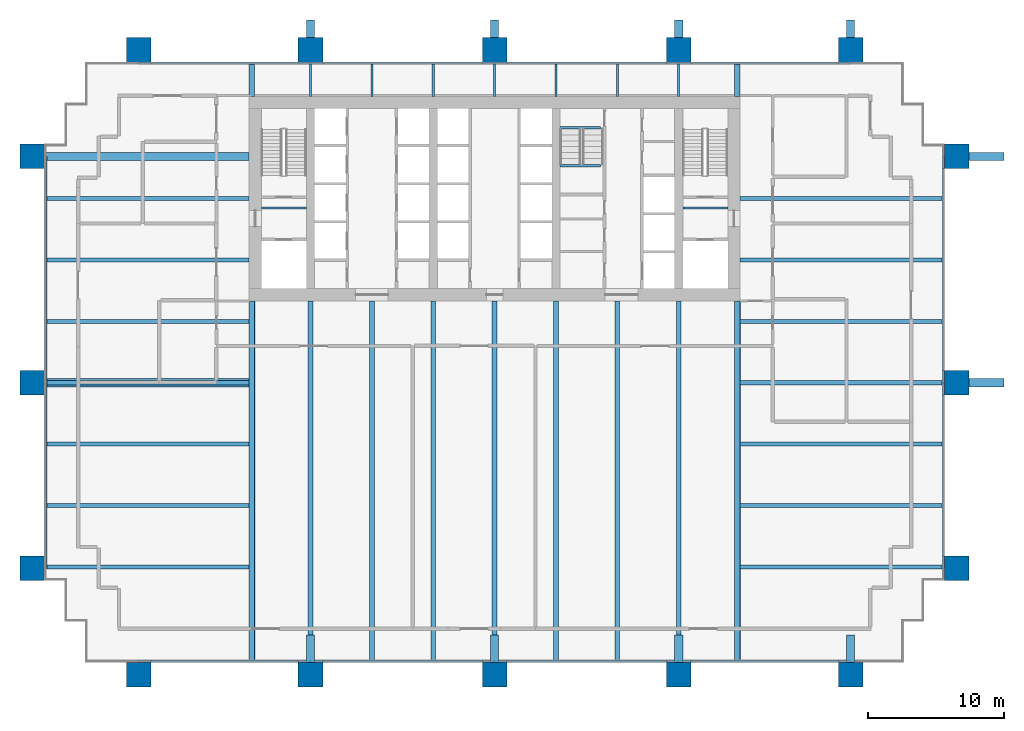
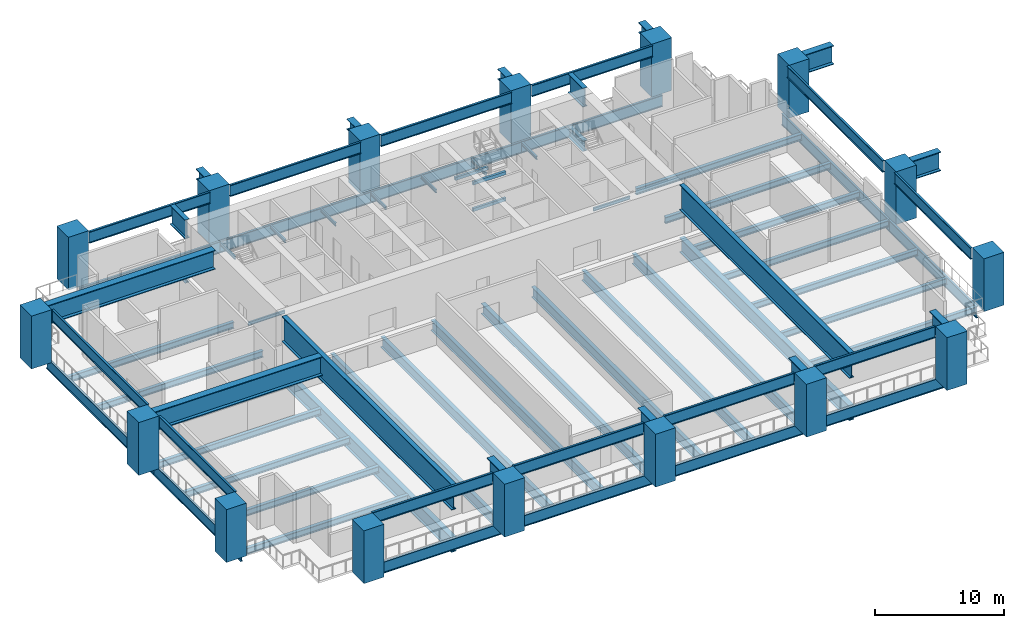
# One storey, part 1 of 11: 77 beams, 16 columns.
"""IFC4 building model written with IfcOpenShell, lengths in metres."""

from ifc_helpers import new_model, si_unit, direction, frame, origin, origin_2d, place, context, subcontext, project, spatial, rectangle, i_section, extrude, material, material_profile, profile_set, type_object, element, save


model = new_model("IFC4")

# Units and contexts
model_context = context("Model", 3, precision=1e-05, world=origin(), true_north=direction((0.0, 1.0)))
body_context = subcontext(model_context, "Body", "Model", "MODEL_VIEW")
ifc_project = project(units=[si_unit("LENGTHUNIT", "METRE"), si_unit("AREAUNIT", "SQUARE_METRE"), si_unit("VOLUMEUNIT", "CUBIC_METRE"), si_unit("PLANEANGLEUNIT", "RADIAN"), si_unit("MASSUNIT", "GRAM", prefix="KILO")], contexts=[model_context])

# Site, building, storey
site_placement = place(None, origin())
site = spatial("IfcSite", under=ifc_project, at=site_placement, CompositionType="ELEMENT")
building_placement = place(site_placement, origin())
building = spatial("IfcBuilding", under=site, at=building_placement, Name="Rattan Terrace Tower", CompositionType="ELEMENT")
storey_placement = place(building_placement, frame((0.0, 0.0, 69.300048828125)))
storey = spatial("IfcBuildingStorey", under=building, at=storey_placement, Name="L15", CompositionType="ELEMENT", Elevation=69.300048828125)

# Columns
ifc_material_1 = material(Name="Concrete C60/75", Category="concrete")
ifc_material_profile_1 = material_profile(ifc_material_1, rectangle(XDim=1.800048828125, YDim=1.800048828125, at=origin_2d()), Name="CFT 1800x1800")
ifc_profile_set_1 = profile_set([ifc_material_profile_1], Name="Concrete C60/75")
column_type = type_object("IfcColumnType", Name="Frame exoskeleton column CFT 1800x1800", PredefinedType="COLUMN", material=ifc_profile_set_1)
for number, where, z_axis, x_axis, name in (
    (1, (-26.10009765625, -34.89990234375, -0.199951171875), (0.0, 0.0, 1.0), (1.0, 0.0, 0.0), "exo-L15-001"),
    (2, (-13.5, -34.89990234375, -0.199951171875), (0.0, 0.0, 1.0), (1.0, 0.0, 0.0), "exo-L15-002"),
    (3, (0.0, -34.89990234375, -0.199951171875), (0.0, 0.0, 1.0), (1.0, 0.0, 0.0), "exo-L15-003"),
    (4, (13.5, -34.89990234375, -0.199951171875), (0.0, 0.0, 1.0), (1.0, 0.0, 0.0), "exo-L15-004"),
    (5, (26.10009765625, -34.89990234375, -0.199951171875), (0.0, 0.0, 1.0), (1.0, 0.0, 0.0), "exo-L15-005"),
    (6, (-33.89990234375, -27.10009765625, -0.199951171875), (0.0, 0.0, 1.0), (0.0, 1.0, 0.0), "exo-L15-006"),
    (7, (33.89990234375, -27.10009765625, -0.199951171875), (0.0, 0.0, 1.0), (0.0, 1.0, 0.0), "exo-L15-007"),
    (8, (-33.89990234375, -13.5, -0.199951171875), (0.0, 0.0, 1.0), (0.0, 1.0, 0.0), "exo-L15-008"),
    (9, (33.89990234375, -13.5, -0.199951171875), (0.0, 0.0, 1.0), (0.0, 1.0, 0.0), "exo-L15-009"),
    (10, (-33.89990234375, 3.10009765625, -0.199951171875), (0.0, 0.0, 1.0), (0.0, 1.0, 0.0), "exo-L15-010"),
    (11, (33.89990234375, 3.10009765625, -0.199951171875), (0.0, 0.0, 1.0), (0.0, 1.0, 0.0), "exo-L15-011"),
    (12, (-26.10009765625, 10.89990234375, -0.199951171875), (0.0, 0.0, 1.0), (1.0, 0.0, 0.0), "exo-L15-012"),
    (13, (-13.5, 10.89990234375, -0.199951171875), (0.0, 0.0, 1.0), (1.0, 0.0, 0.0), "exo-L15-013"),
    (14, (0.0, 10.89990234375, -0.199951171875), (0.0, 0.0, 1.0), (1.0, 0.0, 0.0), "exo-L15-014"),
    (15, (13.5, 10.89990234375, -0.199951171875), (0.0, 0.0, 1.0), (1.0, 0.0, 0.0), "exo-L15-015"),
    (16, (26.10009765625, 10.89990234375, -0.199951171875), (0.0, 0.0, 1.0), (1.0, 0.0, 0.0), "exo-L15-016"),
):
    element("IfcColumn", number, at=place(storey_placement, frame(where, z_axis=z_axis, x_axis=x_axis)), inside=storey, type_object=column_type, Name=name, PredefinedType="COLUMN", context=body_context, shape_type="SweptSolid", body=[
        extrude(rectangle(XDim=1.800048828125, YDim=1.800048828125, at=origin_2d()), origin(), (0.0, 0.0, 1.0), 5.0),
    ])

# Beams
ifc_material_2 = material(Name="Concrete C40/50", Category="concrete")
ifc_material_profile_2 = material_profile(ifc_material_2, rectangle(XDim=0.199951171875, YDim=0.300048828125, at=origin_2d()), Name="RC 200x300")
ifc_profile_set_2 = profile_set([ifc_material_profile_2], Name="Concrete C40/50")
beam_type_1 = type_object("IfcBeamType", Name="Core landing beam RC 200x300", PredefinedType="BEAM", material=ifc_profile_set_2)
for number, where, z_axis, x_axis, name in (
    (17, (4.800048828125, 2.419921875, 0.89990234375), (1.0, 0.0, 0.0), (0.0, 1.0, 0.0), "st-S3-L15 landing 1 edge beam"),
    (18, (4.800048828125, 5.199951171875, 2.14990234375), (1.0, 0.0, 0.0), (0.0, 1.0, 0.0), "st-S3-L15 landing 2 edge beam"),
    (19, (4.800048828125, 2.419921875, 3.39990234375), (1.0, 0.0, 0.0), (0.0, 1.0, 0.0), "st-S3-L15 landing 3 edge beam"),
):
    element("IfcBeam", number, at=place(storey_placement, frame(where, z_axis=z_axis, x_axis=x_axis)), inside=storey, type_object=beam_type_1, Name=name, PredefinedType="BEAM", context=body_context, shape_type="SweptSolid", body=[
        extrude(rectangle(XDim=0.199951171875, YDim=0.300048828125, at=origin_2d()), origin(), (0.0, 0.0, 1.0), 2.949951171875),
    ])
ifc_material_3 = material(Name="Steel S460", Category="steel")
ifc_material_profile_3 = material_profile(ifc_material_3, i_section(OverallWidth=0.39990234375, OverallDepth=1.0, WebThickness=0.01806640625, FlangeThickness=0.044921875, at=origin_2d()), Name="PG 1000x400-18-45")
ifc_profile_set_3 = profile_set([ifc_material_profile_3], Name="Steel S460")
beam_type_2 = type_object("IfcBeamType", Name="Frame core girder PG 1000x400-18-45", PredefinedType="BEAM", material=ifc_profile_set_3)
for number, where, z_axis, x_axis, name in (
    (20, (-17.800048828125, 7.5, -0.699951171875), (0.0, 1.0, 0.0), (-1.0, 0.0, 0.0), "gdr-L15-015"),
    (21, (17.800048828125, 7.5, -0.699951171875), (0.0, 1.0, 0.0), (-1.0, 0.0, 0.0), "gdr-L15-016"),
):
    element("IfcBeam", number, at=place(storey_placement, frame(where, z_axis=z_axis, x_axis=x_axis)), inside=storey, type_object=beam_type_2, Name=name, PredefinedType="BEAM", context=body_context, shape_type="SweptSolid", body=[
        extrude(i_section(OverallWidth=0.39990234375, OverallDepth=1.0, WebThickness=0.01806640625, FlangeThickness=0.044921875, at=origin_2d()), origin(), (0.0, 0.0, 1.0), 2.320068359375),
    ])
ifc_material_4 = material(Name="Steel S460", Category="steel")
ifc_material_profile_4 = material_profile(ifc_material_4, i_section(OverallWidth=0.449951171875, OverallDepth=1.39990234375, WebThickness=0.02197265625, FlangeThickness=0.054931640625, at=origin_2d()), Name="PG 1400x450-22-55")
ifc_profile_set_4 = profile_set([ifc_material_profile_4], Name="Steel S460")
beam_type_3 = type_object("IfcBeamType", Name="Frame core girder PG 1400x450-22-55", PredefinedType="BEAM", material=ifc_profile_set_4)
for number, where, z_axis, x_axis, name in (
    (22, (-17.800048828125, -33.820068359375, -0.900146484375), (0.0, 1.0, 0.0), (-1.0, 0.0, 0.0), "gdr-L15-013"),
    (23, (17.800048828125, -33.820068359375, -0.900146484375), (0.0, 1.0, 0.0), (-1.0, 0.0, 0.0), "gdr-L15-014"),
):
    element("IfcBeam", number, at=place(storey_placement, frame(where, z_axis=z_axis, x_axis=x_axis)), inside=storey, type_object=beam_type_3, Name=name, PredefinedType="BEAM", context=body_context, shape_type="SweptSolid", body=[
        extrude(i_section(OverallWidth=0.449951171875, OverallDepth=1.39990234375, WebThickness=0.02197265625, FlangeThickness=0.054931640625, at=origin_2d()), origin(), (0.0, 0.0, 1.0), 26.320068359375),
    ])
ifc_material_5 = material(Name="Steel S460", Category="steel")
ifc_material_profile_5 = material_profile(ifc_material_5, i_section(OverallWidth=0.179931640625, OverallDepth=1.10009765625, WebThickness=0.01611328125, FlangeThickness=0.050048828125, at=origin_2d()), Name="PG 1100x180-16-50")
ifc_profile_set_5 = profile_set([ifc_material_profile_5], Name="Steel S460")
beam_type_4 = type_object("IfcBeamType", Name="Frame edge girder PG 1100x180-16-50", PredefinedType="SPANDREL", material=ifc_profile_set_5)
beam_1_placement = place(storey_placement, frame((-26.10009765625, -33.909912109375, -0.75), z_axis=(1.0, 0.0, 0.0), x_axis=(0.0, 1.0, 0.0)))
element("IfcBeam", 24, at=beam_1_placement, inside=storey, type_object=beam_type_4, Name="gdr-L15-001", PredefinedType="SPANDREL", context=body_context, shape_type="SweptSolid", body=[
    extrude(i_section(OverallWidth=0.179931640625, OverallDepth=1.10009765625, WebThickness=0.01611328125, FlangeThickness=0.050048828125, at=origin_2d()), origin(), (0.0, 0.0, 1.0), 12.60009765625),
])
for number, where, z_axis, x_axis, name in (
    (25, (-13.5, -33.909912109375, -0.75), (1.0, 0.0, 0.0), (0.0, 1.0, 0.0), "gdr-L15-002"),
    (26, (0.0, -33.909912109375, -0.75), (1.0, 0.0, 0.0), (0.0, 1.0, 0.0), "gdr-L15-003"),
):
    element("IfcBeam", number, at=place(storey_placement, frame(where, z_axis=z_axis, x_axis=x_axis)), inside=storey, type_object=beam_type_4, Name=name, PredefinedType="SPANDREL", context=body_context, shape_type="SweptSolid", body=[
        extrude(i_section(OverallWidth=0.179931640625, OverallDepth=1.10009765625, WebThickness=0.01611328125, FlangeThickness=0.050048828125, at=origin_2d()), origin(), (0.0, 0.0, 1.0), 13.5),
    ])
beam_2_placement = place(storey_placement, frame((13.5, -33.909912109375, -0.75), z_axis=(1.0, 0.0, 0.0), x_axis=(0.0, 1.0, 0.0)))
element("IfcBeam", 27, at=beam_2_placement, inside=storey, type_object=beam_type_4, Name="gdr-L15-004", PredefinedType="SPANDREL", context=body_context, shape_type="SweptSolid", body=[
    extrude(i_section(OverallWidth=0.179931640625, OverallDepth=1.10009765625, WebThickness=0.01611328125, FlangeThickness=0.050048828125, at=origin_2d()), origin(), (0.0, 0.0, 1.0), 12.60009765625),
])
for number, where, z_axis, x_axis, name in (
    (28, (32.909912109375, -27.10009765625, -0.75), (0.0, 1.0, 0.0), (-1.0, 0.0, 0.0), "gdr-L15-005"),
    (29, (-32.909912109375, -13.5, -0.75), (0.0, -1.0, 0.0), (1.0, 0.0, 0.0), "gdr-L15-006"),
):
    element("IfcBeam", number, at=place(storey_placement, frame(where, z_axis=z_axis, x_axis=x_axis)), inside=storey, type_object=beam_type_4, Name=name, PredefinedType="SPANDREL", context=body_context, shape_type="SweptSolid", body=[
        extrude(i_section(OverallWidth=0.179931640625, OverallDepth=1.10009765625, WebThickness=0.01611328125, FlangeThickness=0.050048828125, at=origin_2d()), origin(), (0.0, 0.0, 1.0), 13.60009765625),
    ])
for number, where, z_axis, x_axis, name in (
    (30, (32.909912109375, -13.5, -0.75), (0.0, 1.0, 0.0), (-1.0, 0.0, 0.0), "gdr-L15-007"),
    (31, (-32.909912109375, 3.10009765625, -0.75), (0.0, -1.0, 0.0), (1.0, 0.0, 0.0), "gdr-L15-008"),
):
    element("IfcBeam", number, at=place(storey_placement, frame(where, z_axis=z_axis, x_axis=x_axis)), inside=storey, type_object=beam_type_4, Name=name, PredefinedType="SPANDREL", context=body_context, shape_type="SweptSolid", body=[
        extrude(i_section(OverallWidth=0.179931640625, OverallDepth=1.10009765625, WebThickness=0.01611328125, FlangeThickness=0.050048828125, at=origin_2d()), origin(), (0.0, 0.0, 1.0), 16.60009765625),
    ])
beam_3_placement = place(storey_placement, frame((-13.5, 9.909912109375, -0.75), z_axis=(-1.0, 0.0, 0.0), x_axis=(0.0, -1.0, 0.0)))
element("IfcBeam", 32, at=beam_3_placement, inside=storey, type_object=beam_type_4, Name="gdr-L15-009", PredefinedType="SPANDREL", context=body_context, shape_type="SweptSolid", body=[
    extrude(i_section(OverallWidth=0.179931640625, OverallDepth=1.10009765625, WebThickness=0.01611328125, FlangeThickness=0.050048828125, at=origin_2d()), origin(), (0.0, 0.0, 1.0), 12.60009765625),
])
for number, where, z_axis, x_axis, name in (
    (33, (0.0, 9.909912109375, -0.75), (-1.0, 0.0, 0.0), (0.0, -1.0, 0.0), "gdr-L15-010"),
    (34, (13.5, 9.909912109375, -0.75), (-1.0, 0.0, 0.0), (0.0, -1.0, 0.0), "gdr-L15-011"),
):
    element("IfcBeam", number, at=place(storey_placement, frame(where, z_axis=z_axis, x_axis=x_axis)), inside=storey, type_object=beam_type_4, Name=name, PredefinedType="SPANDREL", context=body_context, shape_type="SweptSolid", body=[
        extrude(i_section(OverallWidth=0.179931640625, OverallDepth=1.10009765625, WebThickness=0.01611328125, FlangeThickness=0.050048828125, at=origin_2d()), origin(), (0.0, 0.0, 1.0), 13.5),
    ])
beam_4_placement = place(storey_placement, frame((26.10009765625, 9.909912109375, -0.75), z_axis=(-1.0, 0.0, 0.0), x_axis=(0.0, -1.0, 0.0)))
element("IfcBeam", 35, at=beam_4_placement, inside=storey, type_object=beam_type_4, Name="gdr-L15-012", PredefinedType="SPANDREL", context=body_context, shape_type="SweptSolid", body=[
    extrude(i_section(OverallWidth=0.179931640625, OverallDepth=1.10009765625, WebThickness=0.01611328125, FlangeThickness=0.050048828125, at=origin_2d()), origin(), (0.0, 0.0, 1.0), 12.60009765625),
])
ifc_material_6 = material(Name="Steel S355", Category="steel")
ifc_material_profile_6 = material_profile(ifc_material_6, i_section(OverallWidth=0.300048828125, OverallDepth=0.60009765625, WebThickness=0.015380859375, FlangeThickness=0.030029296875, FilletRadius=0.027099609375, at=origin_2d()), Name="HE 600 B")
ifc_profile_set_6 = profile_set([ifc_material_profile_6], Name="Steel S355")
beam_type_5 = type_object("IfcBeamType", Name="Frame floor beam HE 600 B", PredefinedType="JOIST", material=ifc_profile_set_6)
for number, where, z_axis, x_axis, name in (
    (36, (-32.820068359375, -27.0, -0.5), (1.0, 0.0, 0.0), (0.0, 1.0, 0.0), "bm-L15-010"),
    (37, (18.0, -27.0, -0.5), (1.0, 0.0, 0.0), (0.0, 1.0, 0.0), "bm-L15-011"),
    (38, (-32.820068359375, -22.5, -0.5), (1.0, 0.0, 0.0), (0.0, 1.0, 0.0), "bm-L15-012"),
    (39, (18.0, -22.5, -0.5), (1.0, 0.0, 0.0), (0.0, 1.0, 0.0), "bm-L15-013"),
    (40, (-32.820068359375, -18.0, -0.5), (1.0, 0.0, 0.0), (0.0, 1.0, 0.0), "bm-L15-014"),
    (41, (18.0, -18.0, -0.5), (1.0, 0.0, 0.0), (0.0, 1.0, 0.0), "bm-L15-015"),
    (42, (-32.820068359375, -13.5, -0.5), (1.0, 0.0, 0.0), (0.0, 1.0, 0.0), "bm-L15-016"),
    (43, (18.0, -13.5, -0.5), (1.0, 0.0, 0.0), (0.0, 1.0, 0.0), "bm-L15-017"),
    (44, (-32.820068359375, -9.0, -0.5), (1.0, 0.0, 0.0), (0.0, 1.0, 0.0), "bm-L15-018"),
    (45, (18.0, -9.0, -0.5), (1.0, 0.0, 0.0), (0.0, 1.0, 0.0), "bm-L15-019"),
    (46, (-32.820068359375, -4.5, -0.5), (1.0, 0.0, 0.0), (0.0, 1.0, 0.0), "bm-L15-020"),
    (47, (18.0, -4.5, -0.5), (1.0, 0.0, 0.0), (0.0, 1.0, 0.0), "bm-L15-021"),
    (48, (-32.820068359375, 0.0, -0.5), (1.0, 0.0, 0.0), (0.0, 1.0, 0.0), "bm-L15-022"),
    (49, (18.0, 0.0, -0.5), (1.0, 0.0, 0.0), (0.0, 1.0, 0.0), "bm-L15-023"),
):
    element("IfcBeam", number, at=place(storey_placement, frame(where, z_axis=z_axis, x_axis=x_axis)), inside=storey, type_object=beam_type_5, Name=name, PredefinedType="JOIST", context=body_context, shape_type="SweptSolid", body=[
        extrude(i_section(OverallWidth=0.300048828125, OverallDepth=0.60009765625, WebThickness=0.015380859375, FlangeThickness=0.030029296875, FilletRadius=0.027099609375, at=origin_2d()), origin(), (0.0, 0.0, 1.0), 14.820068359375),
    ])
ifc_material_7 = material(Name="Steel S355", Category="steel")
ifc_material_profile_7 = material_profile(ifc_material_7, i_section(OverallWidth=0.14990234375, OverallDepth=0.300048828125, WebThickness=0.007080078125, FlangeThickness=0.0107421875, FilletRadius=0.014892578125, at=origin_2d()), Name="IPE 300")
ifc_profile_set_7 = profile_set([ifc_material_profile_7], Name="Steel S355")
beam_type_6 = type_object("IfcBeamType", Name="Frame floor beam IPE 300", PredefinedType="JOIST", material=ifc_profile_set_7)
for number, where, z_axis, x_axis, name in (
    (50, (-17.10009765625, -0.695068359375, -0.35009765625), (1.0, 0.0, 0.0), (0.0, 1.0, 0.0), "bm-L15-001"),
    (51, (13.800048828125, -0.695068359375, -0.35009765625), (1.0, 0.0, 0.0), (0.0, 1.0, 0.0), "bm-L15-002"),
):
    element("IfcBeam", number, at=place(storey_placement, frame(where, z_axis=z_axis, x_axis=x_axis)), inside=storey, type_object=beam_type_6, Name=name, PredefinedType="JOIST", context=body_context, shape_type="SweptSolid", body=[
        extrude(i_section(OverallWidth=0.14990234375, OverallDepth=0.300048828125, WebThickness=0.007080078125, FlangeThickness=0.0107421875, FilletRadius=0.014892578125, at=origin_2d()), origin(), (0.0, 0.0, 1.0), 3.300048828125),
    ])
for number, where, z_axis, x_axis, name in (
    (52, (-13.5, 7.5, -0.35009765625), (0.0, 1.0, 0.0), (-1.0, 0.0, 0.0), "bm-L15-024"),
    (53, (-9.0, 7.5, -0.35009765625), (0.0, 1.0, 0.0), (-1.0, 0.0, 0.0), "bm-L15-025"),
    (54, (-4.5, 7.5, -0.35009765625), (0.0, 1.0, 0.0), (-1.0, 0.0, 0.0), "bm-L15-026"),
    (55, (0.0, 7.5, -0.35009765625), (0.0, 1.0, 0.0), (-1.0, 0.0, 0.0), "bm-L15-027"),
    (56, (4.5, 7.5, -0.35009765625), (0.0, 1.0, 0.0), (-1.0, 0.0, 0.0), "bm-L15-028"),
    (57, (9.0, 7.5, -0.35009765625), (0.0, 1.0, 0.0), (-1.0, 0.0, 0.0), "bm-L15-029"),
    (58, (13.5, 7.5, -0.35009765625), (0.0, 1.0, 0.0), (-1.0, 0.0, 0.0), "bm-L15-030"),
):
    element("IfcBeam", number, at=place(storey_placement, frame(where, z_axis=z_axis, x_axis=x_axis)), inside=storey, type_object=beam_type_6, Name=name, PredefinedType="JOIST", context=body_context, shape_type="SweptSolid", body=[
        extrude(i_section(OverallWidth=0.14990234375, OverallDepth=0.300048828125, WebThickness=0.007080078125, FlangeThickness=0.0107421875, FilletRadius=0.014892578125, at=origin_2d()), origin(), (0.0, 0.0, 1.0), 2.320068359375),
    ])
ifc_material_8 = material(Name="Steel S460", Category="steel")
ifc_material_profile_8 = material_profile(ifc_material_8, i_section(OverallWidth=0.35009765625, OverallDepth=1.0, WebThickness=0.01611328125, FlangeThickness=0.044921875, at=origin_2d()), Name="PG 1000x350-16-45")
ifc_profile_set_8 = profile_set([ifc_material_profile_8], Name="Steel S460")
beam_type_7 = type_object("IfcBeamType", Name="Frame floor beam PG 1000x350-16-45", PredefinedType="JOIST", material=ifc_profile_set_8)
for number, where, z_axis, x_axis, name in (
    (59, (-13.5, -33.820068359375, -0.699951171875), (0.0, 1.0, 0.0), (-1.0, 0.0, 0.0), "bm-L15-003"),
    (60, (-9.0, -33.820068359375, -0.699951171875), (0.0, 1.0, 0.0), (-1.0, 0.0, 0.0), "bm-L15-004"),
    (61, (-4.5, -33.820068359375, -0.699951171875), (0.0, 1.0, 0.0), (-1.0, 0.0, 0.0), "bm-L15-005"),
    (62, (0.0, -33.820068359375, -0.699951171875), (0.0, 1.0, 0.0), (-1.0, 0.0, 0.0), "bm-L15-006"),
    (63, (4.5, -33.820068359375, -0.699951171875), (0.0, 1.0, 0.0), (-1.0, 0.0, 0.0), "bm-L15-007"),
    (64, (9.0, -33.820068359375, -0.699951171875), (0.0, 1.0, 0.0), (-1.0, 0.0, 0.0), "bm-L15-008"),
    (65, (13.5, -33.820068359375, -0.699951171875), (0.0, 1.0, 0.0), (-1.0, 0.0, 0.0), "bm-L15-009"),
):
    element("IfcBeam", number, at=place(storey_placement, frame(where, z_axis=z_axis, x_axis=x_axis)), inside=storey, type_object=beam_type_7, Name=name, PredefinedType="JOIST", context=body_context, shape_type="SweptSolid", body=[
        extrude(i_section(OverallWidth=0.35009765625, OverallDepth=1.0, WebThickness=0.01611328125, FlangeThickness=0.044921875, at=origin_2d()), origin(), (0.0, 0.0, 1.0), 26.320068359375),
    ])
ifc_material_9 = material(Name="Steel S460", Category="steel")
ifc_material_profile_9 = material_profile(ifc_material_9, i_section(OverallWidth=0.60009765625, OverallDepth=1.0, WebThickness=0.0400390625, FlangeThickness=0.070068359375, at=origin_2d()), Name="PG 1000x600-40-70")
ifc_profile_set_9 = profile_set([ifc_material_profile_9], Name="Steel S460")
beam_type_8 = type_object("IfcBeamType", Name="Frame transfer girder PG 1000x600-40-70", PredefinedType="USERDEFINED", material=ifc_profile_set_9)
for number, where, z_axis, x_axis, name in (
    (66, (-13.5, 11.800048828125, 4.300048828125), (0.0, 1.0, 0.0), (-1.0, 0.0, 0.0), "trf-L15-022"),
    (67, (0.0, 11.800048828125, 4.300048828125), (0.0, 1.0, 0.0), (-1.0, 0.0, 0.0), "trf-L15-024"),
    (68, (13.5, 11.800048828125, 4.300048828125), (0.0, 1.0, 0.0), (-1.0, 0.0, 0.0), "trf-L15-026"),
    (69, (26.10009765625, 11.800048828125, 4.300048828125), (0.0, 1.0, 0.0), (-1.0, 0.0, 0.0), "trf-L15-028"),
):
    element("IfcBeam", number, at=place(storey_placement, frame(where, z_axis=z_axis, x_axis=x_axis)), inside=storey, type_object=beam_type_8, Name=name, ObjectType="TRANSFER GIRDER", PredefinedType="USERDEFINED", context=body_context, shape_type="SweptSolid", body=[
        extrude(i_section(OverallWidth=0.60009765625, OverallDepth=1.0, WebThickness=0.0400390625, FlangeThickness=0.070068359375, at=origin_2d()), origin(), (0.0, 0.0, 1.0), 1.300048828125),
    ])
ifc_material_10 = material(Name="Steel S460", Category="steel")
ifc_material_profile_10 = material_profile(ifc_material_10, i_section(OverallWidth=0.179931640625, OverallDepth=1.10009765625, WebThickness=0.01611328125, FlangeThickness=0.050048828125, at=origin_2d()), Name="PG 1100x180-16-50")
ifc_profile_set_10 = profile_set([ifc_material_profile_10], Name="Steel S460")
beam_type_9 = type_object("IfcBeamType", Name="Frame transfer girder PG 1100x180-16-50", PredefinedType="USERDEFINED", material=ifc_profile_set_10)
beam_5_placement = place(storey_placement, frame((32.909912109375, -26.199951171875, 4.25), z_axis=(0.0, 1.0, 0.0), x_axis=(-1.0, 0.0, 0.0)))
element("IfcBeam", 70, at=beam_5_placement, inside=storey, type_object=beam_type_9, Name="trf-L15-001", ObjectType="TRANSFER GIRDER", PredefinedType="USERDEFINED", context=body_context, shape_type="SweptSolid", body=[
    extrude(i_section(OverallWidth=0.179931640625, OverallDepth=1.10009765625, WebThickness=0.01611328125, FlangeThickness=0.050048828125, at=origin_2d()), origin(), (0.0, 0.0, 1.0), 11.800048828125),
])
beam_6_placement = place(storey_placement, frame((32.909912109375, -12.60009765625, 4.25), z_axis=(0.0, 1.0, 0.0), x_axis=(-1.0, 0.0, 0.0)))
element("IfcBeam", 71, at=beam_6_placement, inside=storey, type_object=beam_type_9, Name="trf-L15-002", ObjectType="TRANSFER GIRDER", PredefinedType="USERDEFINED", context=body_context, shape_type="SweptSolid", body=[
    extrude(i_section(OverallWidth=0.179931640625, OverallDepth=1.10009765625, WebThickness=0.01611328125, FlangeThickness=0.050048828125, at=origin_2d()), origin(), (0.0, 0.0, 1.0), 14.800048828125),
])
beam_7_placement = place(storey_placement, frame((25.199951171875, 9.909912109375, 4.25), z_axis=(-1.0, 0.0, 0.0), x_axis=(0.0, -1.0, 0.0)))
element("IfcBeam", 72, at=beam_7_placement, inside=storey, type_object=beam_type_9, Name="trf-L15-003", ObjectType="TRANSFER GIRDER", PredefinedType="USERDEFINED", context=body_context, shape_type="SweptSolid", body=[
    extrude(i_section(OverallWidth=0.179931640625, OverallDepth=1.10009765625, WebThickness=0.01611328125, FlangeThickness=0.050048828125, at=origin_2d()), origin(), (0.0, 0.0, 1.0), 10.800048828125),
])
for number, where, z_axis, x_axis, name in (
    (73, (12.60009765625, 9.909912109375, 4.25), (-1.0, 0.0, 0.0), (0.0, -1.0, 0.0), "trf-L15-004"),
    (74, (-0.89990234375, 9.909912109375, 4.25), (-1.0, 0.0, 0.0), (0.0, -1.0, 0.0), "trf-L15-005"),
):
    element("IfcBeam", number, at=place(storey_placement, frame(where, z_axis=z_axis, x_axis=x_axis)), inside=storey, type_object=beam_type_9, Name=name, ObjectType="TRANSFER GIRDER", PredefinedType="USERDEFINED", context=body_context, shape_type="SweptSolid", body=[
        extrude(i_section(OverallWidth=0.179931640625, OverallDepth=1.10009765625, WebThickness=0.01611328125, FlangeThickness=0.050048828125, at=origin_2d()), origin(), (0.0, 0.0, 1.0), 11.7001953125),
    ])
beam_8_placement = place(storey_placement, frame((-14.39990234375, 9.909912109375, 4.25), z_axis=(-1.0, 0.0, 0.0), x_axis=(0.0, -1.0, 0.0)))
element("IfcBeam", 75, at=beam_8_placement, inside=storey, type_object=beam_type_9, Name="trf-L15-006", ObjectType="TRANSFER GIRDER", PredefinedType="USERDEFINED", context=body_context, shape_type="SweptSolid", body=[
    extrude(i_section(OverallWidth=0.179931640625, OverallDepth=1.10009765625, WebThickness=0.01611328125, FlangeThickness=0.050048828125, at=origin_2d()), origin(), (0.0, 0.0, 1.0), 10.800048828125),
])
beam_9_placement = place(storey_placement, frame((-32.909912109375, 2.199951171875, 4.25), z_axis=(0.0, -1.0, 0.0), x_axis=(1.0, 0.0, 0.0)))
element("IfcBeam", 76, at=beam_9_placement, inside=storey, type_object=beam_type_9, Name="trf-L15-007", ObjectType="TRANSFER GIRDER", PredefinedType="USERDEFINED", context=body_context, shape_type="SweptSolid", body=[
    extrude(i_section(OverallWidth=0.179931640625, OverallDepth=1.10009765625, WebThickness=0.01611328125, FlangeThickness=0.050048828125, at=origin_2d()), origin(), (0.0, 0.0, 1.0), 14.800048828125),
])
beam_10_placement = place(storey_placement, frame((-32.909912109375, -14.39990234375, 4.25), z_axis=(0.0, -1.0, 0.0), x_axis=(1.0, 0.0, 0.0)))
element("IfcBeam", 77, at=beam_10_placement, inside=storey, type_object=beam_type_9, Name="trf-L15-008", ObjectType="TRANSFER GIRDER", PredefinedType="USERDEFINED", context=body_context, shape_type="SweptSolid", body=[
    extrude(i_section(OverallWidth=0.179931640625, OverallDepth=1.10009765625, WebThickness=0.01611328125, FlangeThickness=0.050048828125, at=origin_2d()), origin(), (0.0, 0.0, 1.0), 11.800048828125),
])
beam_11_placement = place(storey_placement, frame((-25.199951171875, -33.909912109375, 4.25), z_axis=(1.0, 0.0, 0.0), x_axis=(0.0, 1.0, 0.0)))
element("IfcBeam", 78, at=beam_11_placement, inside=storey, type_object=beam_type_9, Name="trf-L15-009", ObjectType="TRANSFER GIRDER", PredefinedType="USERDEFINED", context=body_context, shape_type="SweptSolid", body=[
    extrude(i_section(OverallWidth=0.179931640625, OverallDepth=1.10009765625, WebThickness=0.01611328125, FlangeThickness=0.050048828125, at=origin_2d()), origin(), (0.0, 0.0, 1.0), 10.800048828125),
])
for number, where, z_axis, x_axis, name in (
    (79, (-12.60009765625, -33.909912109375, 4.25), (1.0, 0.0, 0.0), (0.0, 1.0, 0.0), "trf-L15-010"),
    (80, (0.89990234375, -33.909912109375, 4.25), (1.0, 0.0, 0.0), (0.0, 1.0, 0.0), "trf-L15-011"),
):
    element("IfcBeam", number, at=place(storey_placement, frame(where, z_axis=z_axis, x_axis=x_axis)), inside=storey, type_object=beam_type_9, Name=name, ObjectType="TRANSFER GIRDER", PredefinedType="USERDEFINED", context=body_context, shape_type="SweptSolid", body=[
        extrude(i_section(OverallWidth=0.179931640625, OverallDepth=1.10009765625, WebThickness=0.01611328125, FlangeThickness=0.050048828125, at=origin_2d()), origin(), (0.0, 0.0, 1.0), 11.7001953125),
    ])
beam_12_placement = place(storey_placement, frame((14.39990234375, -33.909912109375, 4.25), z_axis=(1.0, 0.0, 0.0), x_axis=(0.0, 1.0, 0.0)))
element("IfcBeam", 81, at=beam_12_placement, inside=storey, type_object=beam_type_9, Name="trf-L15-012", ObjectType="TRANSFER GIRDER", PredefinedType="USERDEFINED", context=body_context, shape_type="SweptSolid", body=[
    extrude(i_section(OverallWidth=0.179931640625, OverallDepth=1.10009765625, WebThickness=0.01611328125, FlangeThickness=0.050048828125, at=origin_2d()), origin(), (0.0, 0.0, 1.0), 10.800048828125),
])
ifc_material_11 = material(Name="Steel S460", Category="steel")
ifc_material_profile_11 = material_profile(ifc_material_11, i_section(OverallWidth=0.60009765625, OverallDepth=1.699951171875, WebThickness=0.0400390625, FlangeThickness=0.070068359375, at=origin_2d()), Name="PG 1700x600-40-70")
ifc_profile_set_11 = profile_set([ifc_material_profile_11], Name="Steel S460")
beam_type_10 = type_object("IfcBeamType", Name="Frame transfer girder PG 1700x600-40-70", PredefinedType="USERDEFINED", material=ifc_profile_set_11)
for number, where, z_axis, x_axis, name in (
    (82, (-13.5, -34.0, 3.949951171875), (0.0, 1.0, 0.0), (-1.0, 0.0, 0.0), "trf-L15-021"),
    (83, (0.0, -34.0, 3.949951171875), (0.0, 1.0, 0.0), (-1.0, 0.0, 0.0), "trf-L15-023"),
    (84, (13.5, -34.0, 3.949951171875), (0.0, 1.0, 0.0), (-1.0, 0.0, 0.0), "trf-L15-025"),
    (85, (26.10009765625, -34.0, 3.949951171875), (0.0, 1.0, 0.0), (-1.0, 0.0, 0.0), "trf-L15-027"),
):
    element("IfcBeam", number, at=place(storey_placement, frame(where, z_axis=z_axis, x_axis=x_axis)), inside=storey, type_object=beam_type_10, Name=name, ObjectType="TRANSFER GIRDER", PredefinedType="USERDEFINED", context=body_context, shape_type="SweptSolid", body=[
        extrude(i_section(OverallWidth=0.60009765625, OverallDepth=1.699951171875, WebThickness=0.0400390625, FlangeThickness=0.070068359375, at=origin_2d()), origin(), (0.0, 0.0, 1.0), 2.0),
    ])
ifc_material_12 = material(Name="Steel S460", Category="steel")
ifc_material_profile_12 = material_profile(ifc_material_12, i_section(OverallWidth=0.39990234375, OverallDepth=1.800048828125, WebThickness=0.030029296875, FlangeThickness=0.06005859375, at=origin_2d()), Name="PG 1800x400-30-60")
ifc_profile_set_12 = profile_set([ifc_material_profile_12], Name="Steel S460")
beam_type_11 = type_object("IfcBeamType", Name="Frame transfer girder PG 1800x400-30-60", PredefinedType="USERDEFINED", material=ifc_profile_set_12)
for number, where, z_axis, x_axis, name in (
    (86, (-17.800048828125, 7.5, 3.89990234375), (0.0, 1.0, 0.0), (-1.0, 0.0, 0.0), "trf-L15-014"),
    (87, (17.800048828125, 7.5, 3.89990234375), (0.0, 1.0, 0.0), (-1.0, 0.0, 0.0), "trf-L15-016"),
):
    element("IfcBeam", number, at=place(storey_placement, frame(where, z_axis=z_axis, x_axis=x_axis)), inside=storey, type_object=beam_type_11, Name=name, ObjectType="TRANSFER GIRDER", PredefinedType="USERDEFINED", context=body_context, shape_type="SweptSolid", body=[
        extrude(i_section(OverallWidth=0.39990234375, OverallDepth=1.800048828125, WebThickness=0.030029296875, FlangeThickness=0.06005859375, at=origin_2d()), origin(), (0.0, 0.0, 1.0), 2.320068359375),
    ])
ifc_material_13 = material(Name="Steel S460", Category="steel")
ifc_material_profile_13 = material_profile(ifc_material_13, i_section(OverallWidth=0.60009765625, OverallDepth=1.800048828125, WebThickness=0.0400390625, FlangeThickness=0.070068359375, at=origin_2d()), Name="PG 1800x600-40-70")
ifc_profile_set_13 = profile_set([ifc_material_profile_13], Name="Steel S460")
beam_type_12 = type_object("IfcBeamType", Name="Frame transfer girder PG 1800x600-40-70", PredefinedType="USERDEFINED", material=ifc_profile_set_13)
beam_13_placement = place(storey_placement, frame((-33.0, -13.5, 3.89990234375), z_axis=(1.0, 0.0, 0.0), x_axis=(0.0, 1.0, 0.0)))
element("IfcBeam", 88, at=beam_13_placement, inside=storey, type_object=beam_type_12, Name="trf-L15-017", ObjectType="TRANSFER GIRDER", PredefinedType="USERDEFINED", context=body_context, shape_type="SweptSolid", body=[
    extrude(i_section(OverallWidth=0.60009765625, OverallDepth=1.800048828125, WebThickness=0.0400390625, FlangeThickness=0.070068359375, at=origin_2d()), origin(), (0.0, 0.0, 1.0), 15.0),
])
beam_14_placement = place(storey_placement, frame((34.800048828125, -13.5, 3.89990234375), z_axis=(1.0, 0.0, 0.0), x_axis=(0.0, 1.0, 0.0)))
element("IfcBeam", 89, at=beam_14_placement, inside=storey, type_object=beam_type_12, Name="trf-L15-018", ObjectType="TRANSFER GIRDER", PredefinedType="USERDEFINED", context=body_context, shape_type="SweptSolid", body=[
    extrude(i_section(OverallWidth=0.60009765625, OverallDepth=1.800048828125, WebThickness=0.0400390625, FlangeThickness=0.070068359375, at=origin_2d()), origin(), (0.0, 0.0, 1.0), 2.550048828125),
])
beam_15_placement = place(storey_placement, frame((-33.0, 3.10009765625, 3.89990234375), z_axis=(1.0, 0.0, 0.0), x_axis=(0.0, 1.0, 0.0)))
element("IfcBeam", 90, at=beam_15_placement, inside=storey, type_object=beam_type_12, Name="trf-L15-019", ObjectType="TRANSFER GIRDER", PredefinedType="USERDEFINED", context=body_context, shape_type="SweptSolid", body=[
    extrude(i_section(OverallWidth=0.60009765625, OverallDepth=1.800048828125, WebThickness=0.0400390625, FlangeThickness=0.070068359375, at=origin_2d()), origin(), (0.0, 0.0, 1.0), 15.0),
])
beam_16_placement = place(storey_placement, frame((34.800048828125, 3.10009765625, 3.89990234375), z_axis=(1.0, 0.0, 0.0), x_axis=(0.0, 1.0, 0.0)))
element("IfcBeam", 91, at=beam_16_placement, inside=storey, type_object=beam_type_12, Name="trf-L15-020", ObjectType="TRANSFER GIRDER", PredefinedType="USERDEFINED", context=body_context, shape_type="SweptSolid", body=[
    extrude(i_section(OverallWidth=0.60009765625, OverallDepth=1.800048828125, WebThickness=0.0400390625, FlangeThickness=0.070068359375, at=origin_2d()), origin(), (0.0, 0.0, 1.0), 2.550048828125),
])
ifc_material_14 = material(Name="Steel S460", Category="steel")
ifc_material_profile_14 = material_profile(ifc_material_14, i_section(OverallWidth=0.39990234375, OverallDepth=2.39990234375, WebThickness=0.030029296875, FlangeThickness=0.06005859375, at=origin_2d()), Name="PG 2400x400-30-60")
ifc_profile_set_14 = profile_set([ifc_material_profile_14], Name="Steel S460")
beam_type_13 = type_object("IfcBeamType", Name="Frame transfer girder PG 2400x400-30-60", PredefinedType="USERDEFINED", material=ifc_profile_set_14)
for number, where, z_axis, x_axis, name in (
    (92, (-17.800048828125, -33.820068359375, 3.599853515625), (0.0, 1.0, 0.0), (-1.0, 0.0, 0.0), "trf-L15-013"),
    (93, (17.800048828125, -33.820068359375, 3.599853515625), (0.0, 1.0, 0.0), (-1.0, 0.0, 0.0), "trf-L15-015"),
):
    element("IfcBeam", number, at=place(storey_placement, frame(where, z_axis=z_axis, x_axis=x_axis)), inside=storey, type_object=beam_type_13, Name=name, ObjectType="TRANSFER GIRDER", PredefinedType="USERDEFINED", context=body_context, shape_type="SweptSolid", body=[
        extrude(i_section(OverallWidth=0.39990234375, OverallDepth=2.39990234375, WebThickness=0.030029296875, FlangeThickness=0.06005859375, at=origin_2d()), origin(), (0.0, 0.0, 1.0), 26.320068359375),
    ])

save(model, "model.ifc")
